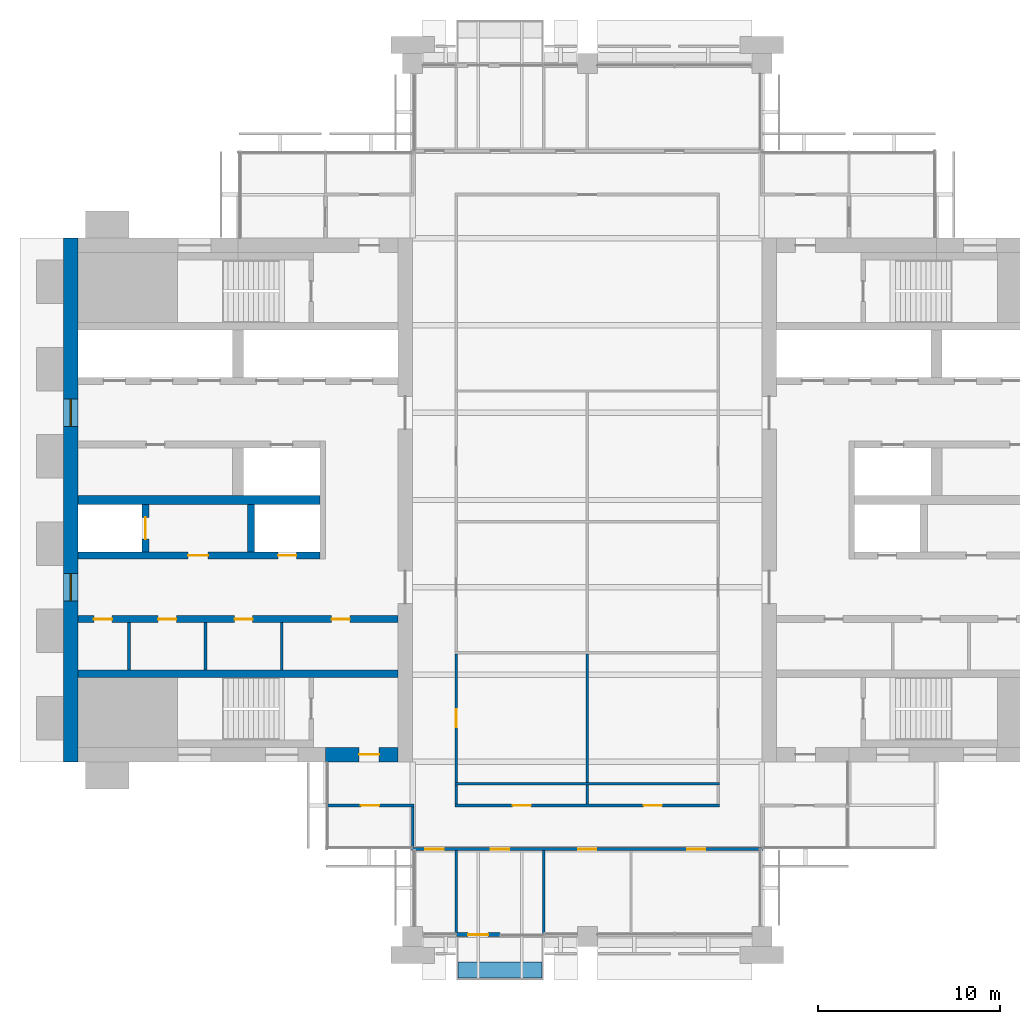
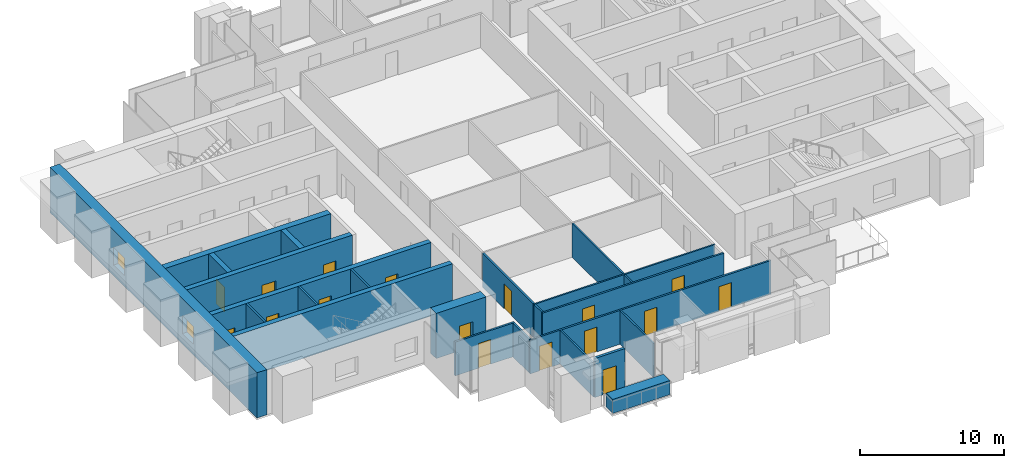
# One storey, part 8 of 14: 24 walls, 17 doors, 2 windows, 19 openings.
"""IFC4 building model written with IfcOpenShell, lengths in metres."""

from ifc_helpers import new_model, si_unit, direction, frame, frame_2d, origin, place, context, subcontext, project, spatial, rectangle, extrude, material, layer, layer_set, type_object, element, fill, save


model = new_model("IFC4")

# Units and contexts
model_context = context("Model", 3, precision=1e-05, world=origin(), true_north=direction((0.0, 1.0)))
body_context = subcontext(model_context, "Body", "Model", "MODEL_VIEW")
ifc_project = project(units=[si_unit("LENGTHUNIT", "METRE"), si_unit("AREAUNIT", "SQUARE_METRE"), si_unit("VOLUMEUNIT", "CUBIC_METRE"), si_unit("PLANEANGLEUNIT", "RADIAN"), si_unit("MASSUNIT", "GRAM", prefix="KILO")], contexts=[model_context])

# Site, building, storey
site_placement = place(None, origin())
site = spatial("IfcSite", under=ifc_project, at=site_placement, CompositionType="ELEMENT")
building_placement = place(site_placement, origin())
building = spatial("IfcBuilding", under=site, at=building_placement, Name="Baori Bourse Tower", CompositionType="ELEMENT")
storey_placement = place(building_placement, frame((0.0, 0.0, 233.199951171875)))
storey = spatial("IfcBuildingStorey", under=building, at=storey_placement, Name="L51", CompositionType="ELEMENT", Elevation=233.199951171875)

# Walls
ifc_material_1 = material(Name="Blockwork partition", Category="masonry")
ifc_layer_1 = layer(ifc_material_1, 0.14990234375)
ifc_layer_set_1 = layer_set([ifc_layer_1], Name="Core partition 150")
wall_type_1 = type_object("IfcWallType", Name="Core partition 150", PredefinedType="PARTITIONING", material=ifc_layer_set_1)
for number, where, z_axis, x_axis, name in (
    (1, (3.60009765625, 14.64990234375, 0.0), (0.0, 0.0, 1.0), (0.0, 1.0, 0.0), "Partition wall W09"),
    (2, (7.800048828125, 14.64990234375, 0.0), (0.0, 0.0, 1.0), (0.0, 1.0, 0.0), "Partition wall W10"),
    (3, (12.0, 14.64990234375, 0.0), (0.0, 0.0, 1.0), (0.0, 1.0, 0.0), "Partition wall W11"),
):
    element("IfcWall", number, at=place(storey_placement, frame(where, z_axis=z_axis, x_axis=x_axis)), inside=storey, type_object=wall_type_1, Name=name, PredefinedType="PARTITIONING", context=body_context, shape_type="SweptSolid", body=[
        extrude(rectangle(XDim=2.60009765625, YDim=0.14990234375, at=frame_2d((1.300048828125, 0.0))), origin(), (0.0, 0.0, 1.0), 3.840087890625),
    ])

# Wall, openings, windows
ifc_material_2 = material(Name="Concrete f'c 50 MPa", Category="concrete")
ifc_layer_2 = layer(ifc_material_2, 0.800048828125)
ifc_layer_set_2 = layer_set([ifc_layer_2], Name="Core wall 800 f'c 50")
wall_type_2 = type_object("IfcWallType", Name="Core wall 800 f'c 50", PredefinedType="SHEAR", material=ifc_layer_set_2)
wall_1_placement = place(storey_placement, frame((0.39990234375, 9.60009765625, 0.0), z_axis=(0.0, 0.0, 1.0), x_axis=(0.0, 1.0, 0.0)))
wall_1 = element("IfcWall", 4, at=wall_1_placement, inside=storey, type_object=wall_type_2, Name="Core wall W01", PredefinedType="SHEAR", context=body_context, shape_type="SweptSolid", body=[
    extrude(rectangle(XDim=28.7998046875, YDim=0.800048828125, at=frame_2d((14.39990234375, 0.0))), origin(), (0.0, 0.0, 1.0), 3.840087890625),
])
opening_1_placement = place(wall_1_placement, frame((8.85009765625, 0.0, 0.89990234375)))
opening_1 = element("IfcOpeningElement", 5, at=opening_1_placement, cuts=wall_1, Name="Opening L51-KW101", PredefinedType="OPENING", context=body_context, shape_type="SweptSolid", body=[
    extrude(rectangle(XDim=1.5, YDim=1.5, at=frame_2d((0.75, 0.75))), frame((0.0, 0.409912109375, 0.0), z_axis=(0.0, -1.0, 0.0), x_axis=(1.0, 0.0, 0.0)), (0.0, 0.0, 1.0), 0.820068359375),
])
opening_2_placement = place(wall_1_placement, frame((18.449951171875, 0.0, 0.89990234375)))
opening_2 = element("IfcOpeningElement", 6, at=opening_2_placement, cuts=wall_1, Name="Opening L51-KW102", PredefinedType="OPENING", context=body_context, shape_type="SweptSolid", body=[
    extrude(rectangle(XDim=1.5, YDim=1.5, at=frame_2d((0.75, 0.75))), frame((0.0, 0.409912109375, 0.0), z_axis=(0.0, -1.0, 0.0), x_axis=(1.0, 0.0, 0.0)), (0.0, 0.0, 1.0), 0.820068359375),
])
ifc_material_3 = material(Name="Pale anodised aluminium", Category="aluminium")
window_type = type_object("IfcWindowType", Name="Lobby window 1500 x 1500", PartitioningType="SINGLE_PANEL", PredefinedType="WINDOW", material=ifc_material_3)
window_1_placement = place(opening_1_placement, origin())
window_1 = element("IfcWindow", 7, at=window_1_placement, inside=storey, type_object=window_type, Name="Outer wall window W L51 1", OverallHeight=1.5, OverallWidth=1.5, PartitioningType="SINGLE_PANEL", PredefinedType="WINDOW", context=body_context, shape_type="SweptSolid", body=[
    extrude(rectangle(XDim=1.5, YDim=1.5, at=frame_2d((0.75, 0.75))), frame((0.0, 0.030029296875, 0.0), z_axis=(0.0, -1.0, 0.0), x_axis=(1.0, 0.0, 0.0)), (0.0, 0.0, 1.0), 0.06005859375),
])
fill(opening_1, window_1)
window_2_placement = place(opening_2_placement, origin())
window_2 = element("IfcWindow", 8, at=window_2_placement, inside=storey, type_object=window_type, Name="Outer wall window W L51 2", OverallHeight=1.5, OverallWidth=1.5, PartitioningType="SINGLE_PANEL", PredefinedType="WINDOW", context=body_context, shape_type="SweptSolid", body=[
    extrude(rectangle(XDim=1.5, YDim=1.5, at=frame_2d((0.75, 0.75))), frame((0.0, 0.030029296875, 0.0), z_axis=(0.0, -1.0, 0.0), x_axis=(1.0, 0.0, 0.0)), (0.0, 0.0, 1.0), 0.06005859375),
])
fill(opening_2, window_2)

# Wall, opening, door
wall_2_placement = place(storey_placement, frame((18.39990234375, 10.0, 0.0), z_axis=(0.0, 0.0, 1.0), x_axis=(-1.0, 0.0, 0.0)))
wall_2 = element("IfcWall", 9, at=wall_2_placement, inside=storey, type_object=wall_type_2, Name="Core wall W03", PredefinedType="SHEAR", context=body_context, shape_type="SweptSolid", body=[
    extrude(rectangle(XDim=4.0, YDim=0.800048828125, at=frame_2d((2.0, 0.0))), origin(), (0.0, 0.0, 1.0), 3.840087890625),
])
opening_3_placement = place(wall_2_placement, frame((1.050048828125, 0.0, 0.0)))
opening_3 = element("IfcOpeningElement", 10, at=opening_3_placement, cuts=wall_2, Name="Opening L51-D102", PredefinedType="OPENING", context=body_context, shape_type="SweptSolid", body=[
    extrude(rectangle(XDim=1.10009765625, YDim=2.10009765625, at=frame_2d((0.550048828125, 1.050048828125))), frame((0.0, 0.409912109375, 0.0), z_axis=(0.0, -1.0, 0.0), x_axis=(1.0, 0.0, 0.0)), (0.0, 0.0, 1.0), 0.820068359375),
])
ifc_material_4 = material(Name="Painted steel door", Category="steel")
door_type_1 = type_object("IfcDoorType", Name="Stair door 1100", OperationType="SINGLE_SWING_LEFT", PredefinedType="DOOR", material=ifc_material_4)
door_1_placement = place(opening_3_placement, origin())
door_1 = element("IfcDoor", 11, at=door_1_placement, inside=storey, type_object=door_type_1, Name="Stair vestibule door A W L51", OperationType="SINGLE_SWING_LEFT", OverallHeight=2.10009765625, OverallWidth=1.10009765625, PredefinedType="DOOR", context=body_context, shape_type="SweptSolid", body=[
    extrude(rectangle(XDim=1.10009765625, YDim=2.10009765625, at=frame_2d((0.550048828125, 1.050048828125))), frame((0.0, 0.02490234375, 0.0), z_axis=(0.0, -1.0, 0.0), x_axis=(1.0, 0.0, 0.0)), (0.0, 0.0, 1.0), 0.050048828125),
])
fill(opening_3, door_1)

# Wall, openings, doors
ifc_material_5 = material(Name="Gypsum board partition")
ifc_layer_3 = layer(ifc_material_5, 0.14990234375)
ifc_layer_set_3 = layer_set([ifc_layer_3], Name="Corridor partition 150")
wall_type_3 = type_object("IfcWallType", Name="Corridor partition 150", PredefinedType="PARTITIONING", material=ifc_layer_set_3)
wall_3_placement = place(storey_placement, frame((19.125, 4.800048828125, 0.0), z_axis=(0.0, 0.0, 1.0), x_axis=(1.0, 0.0, 0.0)))
wall_3 = element("IfcWall", 12, at=wall_3_placement, inside=storey, type_object=wall_type_3, Name="Partition", PredefinedType="PARTITIONING", context=body_context, shape_type="SweptSolid", body=[
    extrude(rectangle(XDim=19.35009765625, YDim=0.14990234375, at=frame_2d((9.675048828125, 0.0))), origin(), (0.0, 0.0, 1.0), 2.869873046875),
])
opening_4_placement = place(wall_3_placement, frame((0.77490234375, 0.0, 0.0)))
opening_4 = element("IfcOpeningElement", 13, at=opening_4_placement, cuts=wall_3, Name="Opening L51-D01", PredefinedType="OPENING", context=body_context, shape_type="SweptSolid", body=[
    extrude(rectangle(XDim=1.0, YDim=2.10009765625, at=frame_2d((0.5, 1.050048828125))), frame((0.0, 0.0849609375, 0.0), z_axis=(0.0, -1.0, 0.0), x_axis=(1.0, 0.0, 0.0)), (0.0, 0.0, 1.0), 0.169921875),
])
opening_5_placement = place(wall_3_placement, frame((4.375, 0.0, 0.0)))
opening_5 = element("IfcOpeningElement", 14, at=opening_5_placement, cuts=wall_3, Name="Opening L51-D02", PredefinedType="OPENING", context=body_context, shape_type="SweptSolid", body=[
    extrude(rectangle(XDim=1.0, YDim=2.10009765625, at=frame_2d((0.5, 1.050048828125))), frame((0.0, 0.0849609375, 0.0), z_axis=(0.0, -1.0, 0.0), x_axis=(1.0, 0.0, 0.0)), (0.0, 0.0, 1.0), 0.169921875),
])
opening_6_placement = place(wall_3_placement, frame((9.175048828125, 0.0, 0.0)))
opening_6 = element("IfcOpeningElement", 15, at=opening_6_placement, cuts=wall_3, Name="Opening L51-D03", PredefinedType="OPENING", context=body_context, shape_type="SweptSolid", body=[
    extrude(rectangle(XDim=1.0, YDim=2.10009765625, at=frame_2d((0.5, 1.050048828125))), frame((0.0, 0.0849609375, 0.0), z_axis=(0.0, -1.0, 0.0), x_axis=(1.0, 0.0, 0.0)), (0.0, 0.0, 1.0), 0.169921875),
])
opening_7_placement = place(wall_3_placement, frame((15.175048828125, 0.0, 0.0)))
opening_7 = element("IfcOpeningElement", 16, at=opening_7_placement, cuts=wall_3, Name="Opening L51-D04", PredefinedType="OPENING", context=body_context, shape_type="SweptSolid", body=[
    extrude(rectangle(XDim=1.0, YDim=2.10009765625, at=frame_2d((0.5, 1.050048828125))), frame((0.0, 0.0849609375, 0.0), z_axis=(0.0, -1.0, 0.0), x_axis=(1.0, 0.0, 0.0)), (0.0, 0.0, 1.0), 0.169921875),
])
ifc_material_6 = material(Name="Timber door leaf", Category="wood")
door_type_2 = type_object("IfcDoorType", Name="Door 1000 x 2100", OperationType="SINGLE_SWING_LEFT", PredefinedType="DOOR", material=ifc_material_6)
door_2_placement = place(opening_4_placement, origin())
door_2 = element("IfcDoor", 17, at=door_2_placement, inside=storey, type_object=door_type_2, Name="Door", OperationType="SINGLE_SWING_LEFT", OverallHeight=2.10009765625, OverallWidth=1.0, PredefinedType="DOOR", context=body_context, shape_type="SweptSolid", body=[
    extrude(rectangle(XDim=1.0, YDim=2.10009765625, at=frame_2d((0.5, 1.050048828125))), frame((0.0, 0.02490234375, 0.0), z_axis=(0.0, -1.0, 0.0), x_axis=(1.0, 0.0, 0.0)), (0.0, 0.0, 1.0), 0.050048828125),
])
fill(opening_4, door_2)
door_3_placement = place(opening_5_placement, origin())
door_3 = element("IfcDoor", 18, at=door_3_placement, inside=storey, type_object=door_type_2, Name="Door", OperationType="SINGLE_SWING_LEFT", OverallHeight=2.10009765625, OverallWidth=1.0, PredefinedType="DOOR", context=body_context, shape_type="SweptSolid", body=[
    extrude(rectangle(XDim=1.0, YDim=2.10009765625, at=frame_2d((0.5, 1.050048828125))), frame((0.0, 0.02490234375, 0.0), z_axis=(0.0, -1.0, 0.0), x_axis=(1.0, 0.0, 0.0)), (0.0, 0.0, 1.0), 0.050048828125),
])
fill(opening_5, door_3)
door_4_placement = place(opening_6_placement, origin())
door_4 = element("IfcDoor", 19, at=door_4_placement, inside=storey, type_object=door_type_2, Name="Door", OperationType="SINGLE_SWING_LEFT", OverallHeight=2.10009765625, OverallWidth=1.0, PredefinedType="DOOR", context=body_context, shape_type="SweptSolid", body=[
    extrude(rectangle(XDim=1.0, YDim=2.10009765625, at=frame_2d((0.5, 1.050048828125))), frame((0.0, 0.02490234375, 0.0), z_axis=(0.0, -1.0, 0.0), x_axis=(1.0, 0.0, 0.0)), (0.0, 0.0, 1.0), 0.050048828125),
])
fill(opening_6, door_4)
door_5_placement = place(opening_7_placement, origin())
door_5 = element("IfcDoor", 20, at=door_5_placement, inside=storey, type_object=door_type_2, Name="Door", OperationType="SINGLE_SWING_RIGHT", OverallHeight=2.10009765625, OverallWidth=1.0, PredefinedType="DOOR", context=body_context, shape_type="SweptSolid", body=[
    extrude(rectangle(XDim=1.0, YDim=2.10009765625, at=frame_2d((0.5, 1.050048828125))), frame((0.0, 0.02490234375, 0.0), z_axis=(0.0, -1.0, 0.0), x_axis=(1.0, 0.0, 0.0)), (0.0, 0.0, 1.0), 0.050048828125),
])
fill(opening_7, door_5)

# Wall, opening, door
wall_4_placement = place(storey_placement, frame((14.5, 7.199951171875, 0.0), z_axis=(0.0, 0.0, 1.0), x_axis=(1.0, 0.0, 0.0)))
wall_4 = element("IfcWall", 21, at=wall_4_placement, inside=storey, type_object=wall_type_3, Name="Partition", PredefinedType="PARTITIONING", context=body_context, shape_type="SweptSolid", body=[
    extrude(rectangle(XDim=4.77490234375, YDim=0.14990234375, at=frame_2d((2.387451171875, 0.0))), origin(), (0.0, 0.0, 1.0), 2.869873046875),
])
opening_8_placement = place(wall_4_placement, frame((1.85009765625, 0.0, 0.0)))
opening_8 = element("IfcOpeningElement", 22, at=opening_8_placement, cuts=wall_4, Name="Opening L51-D05", PredefinedType="OPENING", context=body_context, shape_type="SweptSolid", body=[
    extrude(rectangle(XDim=1.0, YDim=2.10009765625, at=frame_2d((0.5, 1.050048828125))), frame((0.0, 0.0849609375, 0.0), z_axis=(0.0, -1.0, 0.0), x_axis=(1.0, 0.0, 0.0)), (0.0, 0.0, 1.0), 0.169921875),
])
door_6_placement = place(opening_8_placement, origin())
door_6 = element("IfcDoor", 23, at=door_6_placement, inside=storey, type_object=door_type_2, Name="Door", OperationType="SINGLE_SWING_LEFT", OverallHeight=2.10009765625, OverallWidth=1.0, PredefinedType="DOOR", context=body_context, shape_type="SweptSolid", body=[
    extrude(rectangle(XDim=1.0, YDim=2.10009765625, at=frame_2d((0.5, 1.050048828125))), frame((0.0, 0.02490234375, 0.0), z_axis=(0.0, -1.0, 0.0), x_axis=(1.0, 0.0, 0.0)), (0.0, 0.0, 1.0), 0.050048828125),
])
fill(opening_8, door_6)

# Wall, openings, doors
wall_5_placement = place(storey_placement, frame((21.52490234375, 7.199951171875, 0.0), z_axis=(0.0, 0.0, 1.0), x_axis=(1.0, 0.0, 0.0)))
wall_5 = element("IfcWall", 24, at=wall_5_placement, inside=storey, type_object=wall_type_3, Name="Partition", PredefinedType="PARTITIONING", context=body_context, shape_type="SweptSolid", body=[
    extrude(rectangle(XDim=14.550048828125, YDim=0.14990234375, at=frame_2d((7.27490234375, 0.0))), origin(), (0.0, 0.0, 1.0), 2.869873046875),
])
opening_9_placement = place(wall_5_placement, frame((3.175048828125, 0.0, 0.0)))
opening_9 = element("IfcOpeningElement", 25, at=opening_9_placement, cuts=wall_5, Name="Opening L51-D06", PredefinedType="OPENING", context=body_context, shape_type="SweptSolid", body=[
    extrude(rectangle(XDim=1.0, YDim=2.10009765625, at=frame_2d((0.5, 1.050048828125))), frame((0.0, 0.0849609375, 0.0), z_axis=(0.0, -1.0, 0.0), x_axis=(1.0, 0.0, 0.0)), (0.0, 0.0, 1.0), 0.169921875),
])
opening_10_placement = place(wall_5_placement, frame((10.375, 0.0, 0.0)))
opening_10 = element("IfcOpeningElement", 26, at=opening_10_placement, cuts=wall_5, Name="Opening L51-D07", PredefinedType="OPENING", context=body_context, shape_type="SweptSolid", body=[
    extrude(rectangle(XDim=1.0, YDim=2.10009765625, at=frame_2d((0.5, 1.050048828125))), frame((0.0, 0.0849609375, 0.0), z_axis=(0.0, -1.0, 0.0), x_axis=(1.0, 0.0, 0.0)), (0.0, 0.0, 1.0), 0.169921875),
])
door_7_placement = place(opening_9_placement, origin())
door_7 = element("IfcDoor", 27, at=door_7_placement, inside=storey, type_object=door_type_2, Name="Door", OperationType="SINGLE_SWING_RIGHT", OverallHeight=2.10009765625, OverallWidth=1.0, PredefinedType="DOOR", context=body_context, shape_type="SweptSolid", body=[
    extrude(rectangle(XDim=1.0, YDim=2.10009765625, at=frame_2d((0.5, 1.050048828125))), frame((0.0, 0.02490234375, 0.0), z_axis=(0.0, -1.0, 0.0), x_axis=(1.0, 0.0, 0.0)), (0.0, 0.0, 1.0), 0.050048828125),
])
fill(opening_9, door_7)
door_8_placement = place(opening_10_placement, origin())
door_8 = element("IfcDoor", 28, at=door_8_placement, inside=storey, type_object=door_type_2, Name="Door", OperationType="SINGLE_SWING_LEFT", OverallHeight=2.10009765625, OverallWidth=1.0, PredefinedType="DOOR", context=body_context, shape_type="SweptSolid", body=[
    extrude(rectangle(XDim=1.0, YDim=2.10009765625, at=frame_2d((0.5, 1.050048828125))), frame((0.0, 0.02490234375, 0.0), z_axis=(0.0, -1.0, 0.0), x_axis=(1.0, 0.0, 0.0)), (0.0, 0.0, 1.0), 0.050048828125),
])
fill(opening_10, door_8)

# Walls
wall_6_placement = place(storey_placement, frame((19.199951171875, 4.875, 0.0), z_axis=(0.0, 0.0, 1.0), x_axis=(0.0, 1.0, 0.0)))
element("IfcWall", 29, at=wall_6_placement, inside=storey, type_object=wall_type_3, Name="Partition", PredefinedType="PARTITIONING", context=body_context, shape_type="SweptSolid", body=[
    extrude(rectangle(XDim=2.25, YDim=0.14990234375, at=frame_2d((1.125, 0.0))), origin(), (0.0, 0.0, 1.0), 2.869873046875),
])
wall_7_placement = place(storey_placement, frame((21.60009765625, 7.27490234375, 0.0), z_axis=(0.0, 0.0, 1.0), x_axis=(0.0, 1.0, 0.0)))
element("IfcWall", 30, at=wall_7_placement, inside=storey, type_object=wall_type_3, Name="Partition", PredefinedType="PARTITIONING", context=body_context, shape_type="SweptSolid", body=[
    extrude(rectangle(XDim=1.0625, YDim=0.14990234375, at=frame_2d((0.53125, 0.0))), origin(), (0.0, 0.0, 1.0), 2.869873046875),
])

# Wall, opening, door
wall_8_placement = place(storey_placement, frame((21.60009765625, 8.46240234375, 0.0), z_axis=(0.0, 0.0, 1.0), x_axis=(0.0, 1.0, 0.0)))
wall_8 = element("IfcWall", 31, at=wall_8_placement, inside=storey, type_object=wall_type_3, Name="Partition", PredefinedType="PARTITIONING", context=body_context, shape_type="SweptSolid", body=[
    extrude(rectangle(XDim=7.0751953125, YDim=0.14990234375, at=frame_2d((3.53759765625, 0.0))), origin(), (0.0, 0.0, 1.0), 2.869873046875),
])
opening_11_placement = place(wall_8_placement, frame((3.03759765625, 0.0, 0.0)))
opening_11 = element("IfcOpeningElement", 32, at=opening_11_placement, cuts=wall_8, Name="Opening L51-D17", PredefinedType="OPENING", context=body_context, shape_type="SweptSolid", body=[
    extrude(rectangle(XDim=1.0, YDim=2.10009765625, at=frame_2d((0.5, 1.050048828125))), frame((0.0, 0.0849609375, 0.0), z_axis=(0.0, -1.0, 0.0), x_axis=(1.0, 0.0, 0.0)), (0.0, 0.0, 1.0), 0.169921875),
])
door_9_placement = place(opening_11_placement, origin())
door_9 = element("IfcDoor", 33, at=door_9_placement, inside=storey, type_object=door_type_2, Name="Door", OperationType="SINGLE_SWING_LEFT", OverallHeight=2.10009765625, OverallWidth=1.0, PredefinedType="DOOR", context=body_context, shape_type="SweptSolid", body=[
    extrude(rectangle(XDim=1.0, YDim=2.10009765625, at=frame_2d((0.5, 1.050048828125))), frame((0.0, 0.02490234375, 0.0), z_axis=(0.0, -1.0, 0.0), x_axis=(1.0, 0.0, 0.0)), (0.0, 0.0, 1.0), 0.050048828125),
])
fill(opening_11, door_9)

ifc_material_7 = material(Name="Pale anodised aluminium", Category="aluminium")
ifc_layer_4 = layer(ifc_material_7, 0.199951171875)
ifc_layer_set_4 = layer_set([ifc_layer_4], Name="EW1 External wall bay")
wall_type_4 = type_object("IfcWallType", Name="EW1 External wall bay", PredefinedType="SOLIDWALL", material=ifc_layer_set_4)
wall_9_placement = place(storey_placement, frame((21.60009765625, 0.10009765625, 0.0), z_axis=(0.0, 0.0, 1.0), x_axis=(1.0, 0.0, 0.0)))
wall_9 = element("IfcWall", 34, at=wall_9_placement, inside=storey, type_object=wall_type_4, Name="External wall bay L51 2", PredefinedType="SOLIDWALL", context=body_context, shape_type="SweptSolid", body=[
    extrude(rectangle(XDim=2.39990234375, YDim=0.199951171875, at=frame_2d((1.199951171875, 0.0))), origin(), (0.0, 0.0, 1.0), 3.314208984375),
])
opening_12_placement = place(wall_9_placement, frame((0.64990234375, 0.0, 0.0)))
opening_12 = element("IfcOpeningElement", 35, at=opening_12_placement, cuts=wall_9, Name="Opening L51-D92", PredefinedType="OPENING", context=body_context, shape_type="SweptSolid", body=[
    extrude(rectangle(XDim=1.10009765625, YDim=2.10009765625, at=frame_2d((0.550048828125, 1.050048828125))), frame((0.0, 0.10986328125, 0.0), z_axis=(0.0, -1.0, 0.0), x_axis=(1.0, 0.0, 0.0)), (0.0, 0.0, 1.0), 0.219970703125),
])
ifc_material_8 = material(Name="Pale anodised aluminium", Category="aluminium")
door_type_3 = type_object("IfcDoorType", Name="BL1 Balcony door", OperationType="SINGLE_SWING_LEFT", PredefinedType="DOOR", material=ifc_material_8)
door_10_placement = place(opening_12_placement, origin())
door_10 = element("IfcDoor", 36, at=door_10_placement, inside=storey, type_object=door_type_3, Name="Balcony door L51 2", OperationType="SINGLE_SWING_LEFT", OverallHeight=2.10009765625, OverallWidth=1.10009765625, PredefinedType="DOOR", context=body_context, shape_type="SweptSolid", body=[
    extrude(rectangle(XDim=1.10009765625, YDim=2.10009765625, at=frame_2d((0.550048828125, 1.050048828125))), frame((0.0, 0.02490234375, 0.0), z_axis=(0.0, -1.0, 0.0), x_axis=(1.0, 0.0, 0.0)), (0.0, 0.0, 1.0), 0.050048828125),
])
fill(opening_12, door_10)

# Walls
ifc_material_9 = material(Name="Concrete f'c 40 MPa", Category="concrete")
ifc_layer_5 = layer(ifc_material_9, 0.89990234375)
ifc_layer_set_5 = layer_set([ifc_layer_5], Name="PW1 Planter wall")
wall_type_5 = type_object("IfcWallType", Name="PW1 Planter wall", PredefinedType="USERDEFINED", material=ifc_layer_set_5)
wall_10_placement = place(storey_placement, frame((21.699951171875, -1.85009765625, 0.0), z_axis=(0.0, 0.0, 1.0), x_axis=(1.0, 0.0, 0.0)))
element("IfcWall", 37, at=wall_10_placement, inside=storey, type_object=wall_type_5, Name="Planter balcony S L51 1", ObjectType="PLANTER", PredefinedType="USERDEFINED", context=body_context, shape_type="SweptSolid", body=[
    extrude(rectangle(XDim=4.60009765625, YDim=0.89990234375, at=frame_2d((2.300048828125, 0.0))), origin(), (0.0, 0.0, 1.0), 1.199951171875),
])
ifc_material_10 = material(Name="Gypsum board partition")
ifc_layer_6 = layer(ifc_material_10, 0.125)
ifc_layer_set_6 = layer_set([ifc_layer_6], Name="Partition 125")
wall_type_6 = type_object("IfcWallType", Name="Partition 125", PredefinedType="PARTITIONING", material=ifc_layer_set_6)
wall_11_placement = place(storey_placement, frame((21.52490234375, 8.39990234375, 0.0), z_axis=(0.0, 0.0, 1.0), x_axis=(1.0, 0.0, 0.0)))
element("IfcWall", 38, at=wall_11_placement, inside=storey, type_object=wall_type_6, Name="Partition", PredefinedType="PARTITIONING", context=body_context, shape_type="SweptSolid", body=[
    extrude(rectangle(XDim=14.550048828125, YDim=0.125, at=frame_2d((7.27490234375, 0.0))), origin(), (0.0, 0.0, 1.0), 2.869873046875),
])
for number, where, z_axis, x_axis, name in (
    (39, (21.60009765625, 0.10009765625, 0.0), (0.0, 0.0, 1.0), (0.0, 1.0, 0.0), "Partition"),
    (40, (26.39990234375, 0.10009765625, 0.0), (0.0, 0.0, 1.0), (0.0, 1.0, 0.0), "Partition"),
):
    element("IfcWall", number, at=place(storey_placement, frame(where, z_axis=z_axis, x_axis=x_axis)), inside=storey, type_object=wall_type_6, Name=name, PredefinedType="PARTITIONING", context=body_context, shape_type="SweptSolid", body=[
        extrude(rectangle(XDim=4.625, YDim=0.125, at=frame_2d((2.3125, 0.0))), origin(), (0.0, 0.0, 1.0), 2.869873046875),
    ])
wall_12_placement = place(storey_placement, frame((28.800048828125, 7.27490234375, 0.0), z_axis=(0.0, 0.0, 1.0), x_axis=(0.0, 1.0, 0.0)))
element("IfcWall", 41, at=wall_12_placement, inside=storey, type_object=wall_type_6, Name="Partition", PredefinedType="PARTITIONING", context=body_context, shape_type="SweptSolid", body=[
    extrude(rectangle(XDim=1.0625, YDim=0.125, at=frame_2d((0.53125, 0.0))), origin(), (0.0, 0.0, 1.0), 2.869873046875),
])
wall_13_placement = place(storey_placement, frame((28.800048828125, 8.46240234375, 0.0), z_axis=(0.0, 0.0, 1.0), x_axis=(0.0, 1.0, 0.0)))
element("IfcWall", 42, at=wall_13_placement, inside=storey, type_object=wall_type_6, Name="Partition", PredefinedType="PARTITIONING", context=body_context, shape_type="SweptSolid", body=[
    extrude(rectangle(XDim=7.0751953125, YDim=0.125, at=frame_2d((3.53759765625, 0.0))), origin(), (0.0, 0.0, 1.0), 2.869873046875),
])
ifc_material_11 = material(Name="Concrete f'c 50 MPa", Category="concrete")
ifc_layer_7 = layer(ifc_material_11, 0.39990234375)
ifc_layer_set_7 = layer_set([ifc_layer_7], Name="Shaft wall 400 f'c 50")
wall_type_7 = type_object("IfcWallType", Name="Shaft wall 400 f'c 50", PredefinedType="SHEAR", material=ifc_layer_set_7)
wall_14_placement = place(storey_placement, frame((0.800048828125, 14.449951171875, 0.0), z_axis=(0.0, 0.0, 1.0), x_axis=(1.0, 0.0, 0.0)))
element("IfcWall", 43, at=wall_14_placement, inside=storey, type_object=wall_type_7, Name="Core wall W08", PredefinedType="SHEAR", context=body_context, shape_type="SweptSolid", body=[
    extrude(rectangle(XDim=17.599853515625, YDim=0.39990234375, at=frame_2d((8.7998046875, 0.0))), origin(), (0.0, 0.0, 1.0), 3.840087890625),
])

# Wall, openings, doors
wall_15_placement = place(storey_placement, frame((0.800048828125, 17.449951171875, 0.0), z_axis=(0.0, 0.0, 1.0), x_axis=(1.0, 0.0, 0.0)))
wall_15 = element("IfcWall", 44, at=wall_15_placement, inside=storey, type_object=wall_type_7, Name="Core wall W12", PredefinedType="SHEAR", context=body_context, shape_type="SweptSolid", body=[
    extrude(rectangle(XDim=17.599853515625, YDim=0.39990234375, at=frame_2d((8.7998046875, 0.0))), origin(), (0.0, 0.0, 1.0), 3.840087890625),
])
opening_13_placement = place(wall_15_placement, frame((0.862548828125, 0.0, 0.0)))
opening_13 = element("IfcOpeningElement", 45, at=opening_13_placement, cuts=wall_15, Name="Opening L51-D109", PredefinedType="OPENING", context=body_context, shape_type="SweptSolid", body=[
    extrude(rectangle(XDim=1.0, YDim=2.10009765625, at=frame_2d((0.5, 1.050048828125))), frame((0.0, 0.2099609375, 0.0), z_axis=(0.0, -1.0, 0.0), x_axis=(1.0, 0.0, 0.0)), (0.0, 0.0, 1.0), 0.419921875),
])
opening_14_placement = place(wall_15_placement, frame((4.39990234375, 0.0, 0.0)))
opening_14 = element("IfcOpeningElement", 46, at=opening_14_placement, cuts=wall_15, Name="Opening L51-D110", PredefinedType="OPENING", context=body_context, shape_type="SweptSolid", body=[
    extrude(rectangle(XDim=1.0, YDim=2.10009765625, at=frame_2d((0.5, 1.050048828125))), frame((0.0, 0.2099609375, 0.0), z_axis=(0.0, -1.0, 0.0), x_axis=(1.0, 0.0, 0.0)), (0.0, 0.0, 1.0), 0.419921875),
])
opening_15_placement = place(wall_15_placement, frame((8.60009765625, 0.0, 0.0)))
opening_15 = element("IfcOpeningElement", 47, at=opening_15_placement, cuts=wall_15, Name="Opening L51-D111", PredefinedType="OPENING", context=body_context, shape_type="SweptSolid", body=[
    extrude(rectangle(XDim=1.0, YDim=2.10009765625, at=frame_2d((0.5, 1.050048828125))), frame((0.0, 0.2099609375, 0.0), z_axis=(0.0, -1.0, 0.0), x_axis=(1.0, 0.0, 0.0)), (0.0, 0.0, 1.0), 0.419921875),
])
opening_16_placement = place(wall_15_placement, frame((13.9375, 0.0, 0.0)))
opening_16 = element("IfcOpeningElement", 48, at=opening_16_placement, cuts=wall_15, Name="Opening L51-D112", PredefinedType="OPENING", context=body_context, shape_type="SweptSolid", body=[
    extrude(rectangle(XDim=1.0, YDim=2.10009765625, at=frame_2d((0.5, 1.050048828125))), frame((0.0, 0.2099609375, 0.0), z_axis=(0.0, -1.0, 0.0), x_axis=(1.0, 0.0, 0.0)), (0.0, 0.0, 1.0), 0.419921875),
])
ifc_material_12 = material(Name="Painted steel door", Category="steel")
door_type_4 = type_object("IfcDoorType", Name="Core door 1000", OperationType="SINGLE_SWING_LEFT", PredefinedType="DOOR", material=ifc_material_12)
door_11_placement = place(opening_14_placement, origin())
door_11 = element("IfcDoor", 49, at=door_11_placement, inside=storey, type_object=door_type_4, Name="Women'S Wc door W L51", OperationType="SINGLE_SWING_LEFT", OverallHeight=2.10009765625, OverallWidth=1.0, PredefinedType="DOOR", context=body_context, shape_type="SweptSolid", body=[
    extrude(rectangle(XDim=1.0, YDim=2.10009765625, at=frame_2d((0.5, 1.050048828125))), frame((0.0, 0.02490234375, 0.0), z_axis=(0.0, -1.0, 0.0), x_axis=(1.0, 0.0, 0.0)), (0.0, 0.0, 1.0), 0.050048828125),
])
fill(opening_14, door_11)
door_12_placement = place(opening_15_placement, origin())
door_12 = element("IfcDoor", 50, at=door_12_placement, inside=storey, type_object=door_type_4, Name="Accessible Wc door W L51", OperationType="SINGLE_SWING_LEFT", OverallHeight=2.10009765625, OverallWidth=1.0, PredefinedType="DOOR", context=body_context, shape_type="SweptSolid", body=[
    extrude(rectangle(XDim=1.0, YDim=2.10009765625, at=frame_2d((0.5, 1.050048828125))), frame((0.0, 0.02490234375, 0.0), z_axis=(0.0, -1.0, 0.0), x_axis=(1.0, 0.0, 0.0)), (0.0, 0.0, 1.0), 0.050048828125),
])
fill(opening_15, door_12)
door_13_placement = place(opening_16_placement, origin())
door_13 = element("IfcDoor", 51, at=door_13_placement, inside=storey, type_object=door_type_4, Name="Men'S Wc door W L51", OperationType="SINGLE_SWING_LEFT", OverallHeight=2.10009765625, OverallWidth=1.0, PredefinedType="DOOR", context=body_context, shape_type="SweptSolid", body=[
    extrude(rectangle(XDim=1.0, YDim=2.10009765625, at=frame_2d((0.5, 1.050048828125))), frame((0.0, 0.02490234375, 0.0), z_axis=(0.0, -1.0, 0.0), x_axis=(1.0, 0.0, 0.0)), (0.0, 0.0, 1.0), 0.050048828125),
])
fill(opening_16, door_13)
ifc_material_13 = material(Name="Painted steel door", Category="steel")
door_type_5 = type_object("IfcDoorType", Name="Plant room door 1000", OperationType="SINGLE_SWING_LEFT", PredefinedType="DOOR", material=ifc_material_13)
door_14_placement = place(opening_13_placement, origin())
door_14 = element("IfcDoor", 52, at=door_14_placement, inside=storey, type_object=door_type_5, Name="Communications Room door W L51", OperationType="SINGLE_SWING_LEFT", OverallHeight=2.10009765625, OverallWidth=1.0, PredefinedType="DOOR", context=body_context, shape_type="SweptSolid", body=[
    extrude(rectangle(XDim=1.0, YDim=2.10009765625, at=frame_2d((0.5, 1.050048828125))), frame((0.0, 0.02490234375, 0.0), z_axis=(0.0, -1.0, 0.0), x_axis=(1.0, 0.0, 0.0)), (0.0, 0.0, 1.0), 0.050048828125),
])
fill(opening_13, door_14)

wall_16_placement = place(storey_placement, frame((0.800048828125, 20.949951171875, 0.0), z_axis=(0.0, 0.0, 1.0), x_axis=(1.0, 0.0, 0.0)))
wall_16 = element("IfcWall", 53, at=wall_16_placement, inside=storey, type_object=wall_type_7, Name="Core wall W13", PredefinedType="SHEAR", context=body_context, shape_type="SweptSolid", body=[
    extrude(rectangle(XDim=13.300048828125, YDim=0.39990234375, at=frame_2d((6.64990234375, 0.0))), origin(), (0.0, 0.0, 1.0), 3.840087890625),
])
opening_17_placement = place(wall_16_placement, frame((6.050048828125, 0.0, 0.0)))
opening_17 = element("IfcOpeningElement", 54, at=opening_17_placement, cuts=wall_16, Name="Opening L51-D105", PredefinedType="OPENING", context=body_context, shape_type="SweptSolid", body=[
    extrude(rectangle(XDim=1.10009765625, YDim=2.10009765625, at=frame_2d((0.550048828125, 1.050048828125))), frame((0.0, 0.2099609375, 0.0), z_axis=(0.0, -1.0, 0.0), x_axis=(1.0, 0.0, 0.0)), (0.0, 0.0, 1.0), 0.419921875),
])
opening_18_placement = place(wall_16_placement, frame((11.0, 0.0, 0.0)))
opening_18 = element("IfcOpeningElement", 55, at=opening_18_placement, cuts=wall_16, Name="Opening L51-D106", PredefinedType="OPENING", context=body_context, shape_type="SweptSolid", body=[
    extrude(rectangle(XDim=1.0, YDim=2.10009765625, at=frame_2d((0.5, 1.050048828125))), frame((0.0, 0.2099609375, 0.0), z_axis=(0.0, -1.0, 0.0), x_axis=(1.0, 0.0, 0.0)), (0.0, 0.0, 1.0), 0.419921875),
])
ifc_material_14 = material(Name="Painted steel door", Category="steel")
door_type_6 = type_object("IfcDoorType", Name="Lobby door 1100", OperationType="SINGLE_SWING_LEFT", PredefinedType="DOOR", material=ifc_material_14)
door_15_placement = place(opening_17_placement, origin())
door_15 = element("IfcDoor", 56, at=door_15_placement, inside=storey, type_object=door_type_6, Name="Firefighting lobby door W L51", OperationType="SINGLE_SWING_LEFT", OverallHeight=2.10009765625, OverallWidth=1.10009765625, PredefinedType="DOOR", context=body_context, shape_type="SweptSolid", body=[
    extrude(rectangle(XDim=1.10009765625, YDim=2.10009765625, at=frame_2d((0.550048828125, 1.050048828125))), frame((0.0, 0.02490234375, 0.0), z_axis=(0.0, -1.0, 0.0), x_axis=(1.0, 0.0, 0.0)), (0.0, 0.0, 1.0), 0.050048828125),
])
fill(opening_17, door_15)
ifc_material_15 = material(Name="Painted steel door", Category="steel")
door_type_7 = type_object("IfcDoorType", Name="Shaft door 1000", OperationType="SINGLE_SWING_LEFT", PredefinedType="DOOR", material=ifc_material_15)
door_16_placement = place(opening_18_placement, origin())
door_16 = element("IfcDoor", 57, at=door_16_placement, inside=storey, type_object=door_type_7, Name="Riser room door W L51", OperationType="SINGLE_SWING_LEFT", OverallHeight=2.10009765625, OverallWidth=1.0, PredefinedType="DOOR", context=body_context, shape_type="SweptSolid", body=[
    extrude(rectangle(XDim=1.0, YDim=2.10009765625, at=frame_2d((0.5, 1.050048828125))), frame((0.0, 0.02490234375, 0.0), z_axis=(0.0, -1.0, 0.0), x_axis=(1.0, 0.0, 0.0)), (0.0, 0.0, 1.0), 0.050048828125),
])
fill(opening_18, door_16)

# Wall, opening, door
wall_17_placement = place(storey_placement, frame((4.5, 21.14990234375, 0.0), z_axis=(0.0, 0.0, 1.0), x_axis=(0.0, 1.0, 0.0)))
wall_17 = element("IfcWall", 58, at=wall_17_placement, inside=storey, type_object=wall_type_7, Name="Core wall W15", PredefinedType="SHEAR", context=body_context, shape_type="SweptSolid", body=[
    extrude(rectangle(XDim=2.60009765625, YDim=0.39990234375, at=frame_2d((1.300048828125, 0.0))), origin(), (0.0, 0.0, 1.0), 3.840087890625),
])
opening_19_placement = place(wall_17_placement, frame((0.699951171875, 0.0, 0.0)))
opening_19 = element("IfcOpeningElement", 59, at=opening_19_placement, cuts=wall_17, Name="Opening L51-D121", PredefinedType="OPENING", context=body_context, shape_type="SweptSolid", body=[
    extrude(rectangle(XDim=1.199951171875, YDim=2.10009765625, at=frame_2d((0.60009765625, 1.050048828125))), frame((0.0, 0.2099609375, 0.0), z_axis=(0.0, -1.0, 0.0), x_axis=(1.0, 0.0, 0.0)), (0.0, 0.0, 1.0), 0.419921875),
])
ifc_material_16 = material(Name="Stainless steel door", Category="steel")
door_type_8 = type_object("IfcDoorType", Name="Lift landing door", OperationType="DOUBLE_DOOR_SLIDING", PredefinedType="DOOR", material=ifc_material_16)
door_17_placement = place(opening_19_placement, origin())
door_17 = element("IfcDoor", 60, at=door_17_placement, inside=storey, type_object=door_type_8, Name="Lift landing door FF1 W L51", OperationType="DOUBLE_DOOR_SLIDING", OverallHeight=2.10009765625, OverallWidth=1.199951171875, PredefinedType="DOOR", context=body_context, shape_type="SweptSolid", body=[
    extrude(rectangle(XDim=1.199951171875, YDim=2.10009765625, at=frame_2d((0.60009765625, 1.050048828125))), frame((0.0, 0.02490234375, 0.0), z_axis=(0.0, -1.0, 0.0), x_axis=(1.0, 0.0, 0.0)), (0.0, 0.0, 1.0), 0.050048828125),
])
fill(opening_19, door_17)

# Walls
wall_18_placement = place(storey_placement, frame((10.300048828125, 21.14990234375, 0.0), z_axis=(0.0, 0.0, 1.0), x_axis=(0.0, 1.0, 0.0)))
element("IfcWall", 61, at=wall_18_placement, inside=storey, type_object=wall_type_7, Name="Core wall W16", PredefinedType="SHEAR", context=body_context, shape_type="SweptSolid", body=[
    extrude(rectangle(XDim=2.60009765625, YDim=0.39990234375, at=frame_2d((1.300048828125, 0.0))), origin(), (0.0, 0.0, 1.0), 3.840087890625),
])
ifc_material_17 = material(Name="Concrete f'c 50 MPa", Category="concrete")
ifc_layer_8 = layer(ifc_material_17, 0.5)
ifc_layer_set_8 = layer_set([ifc_layer_8], Name="Shaft wall 500 f'c 50")
wall_type_8 = type_object("IfcWallType", Name="Shaft wall 500 f'c 50", PredefinedType="SHEAR", material=ifc_layer_set_8)
wall_19_placement = place(storey_placement, frame((0.800048828125, 24.0, 0.0), z_axis=(0.0, 0.0, 1.0), x_axis=(1.0, 0.0, 0.0)))
element("IfcWall", 62, at=wall_19_placement, inside=storey, type_object=wall_type_8, Name="Core wall W17", PredefinedType="SHEAR", context=body_context, shape_type="SweptSolid", body=[
    extrude(rectangle(XDim=13.300048828125, YDim=0.5, at=frame_2d((6.64990234375, 0.0))), origin(), (0.0, 0.0, 1.0), 3.840087890625),
])

save(model, "model.ifc")
